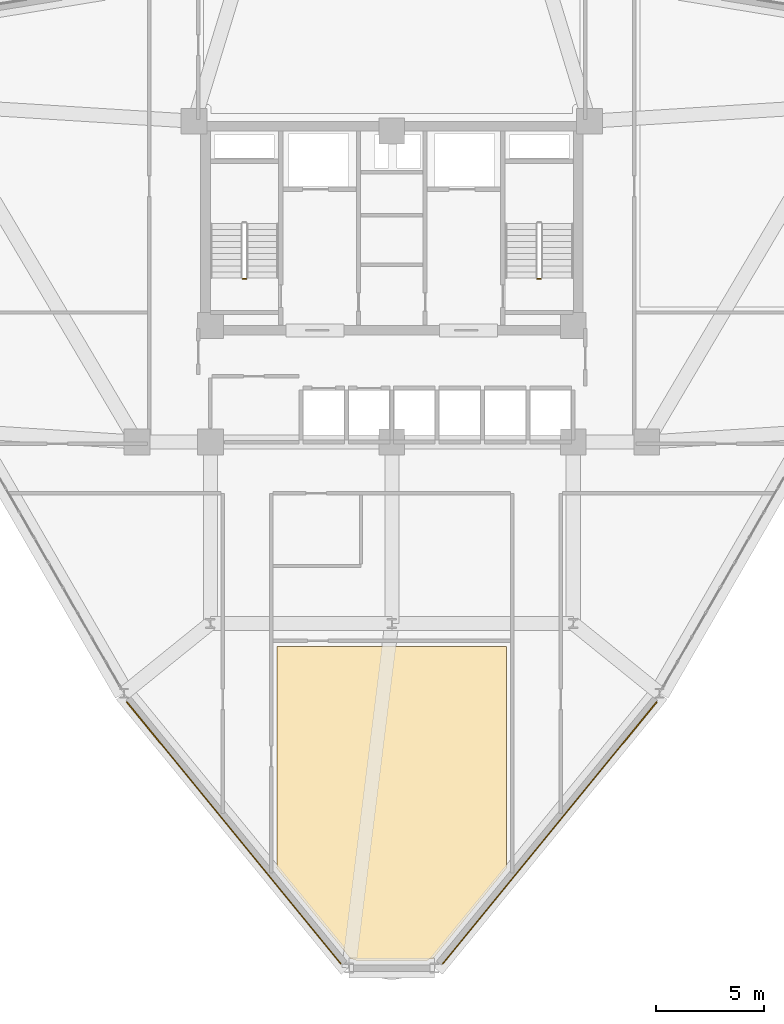
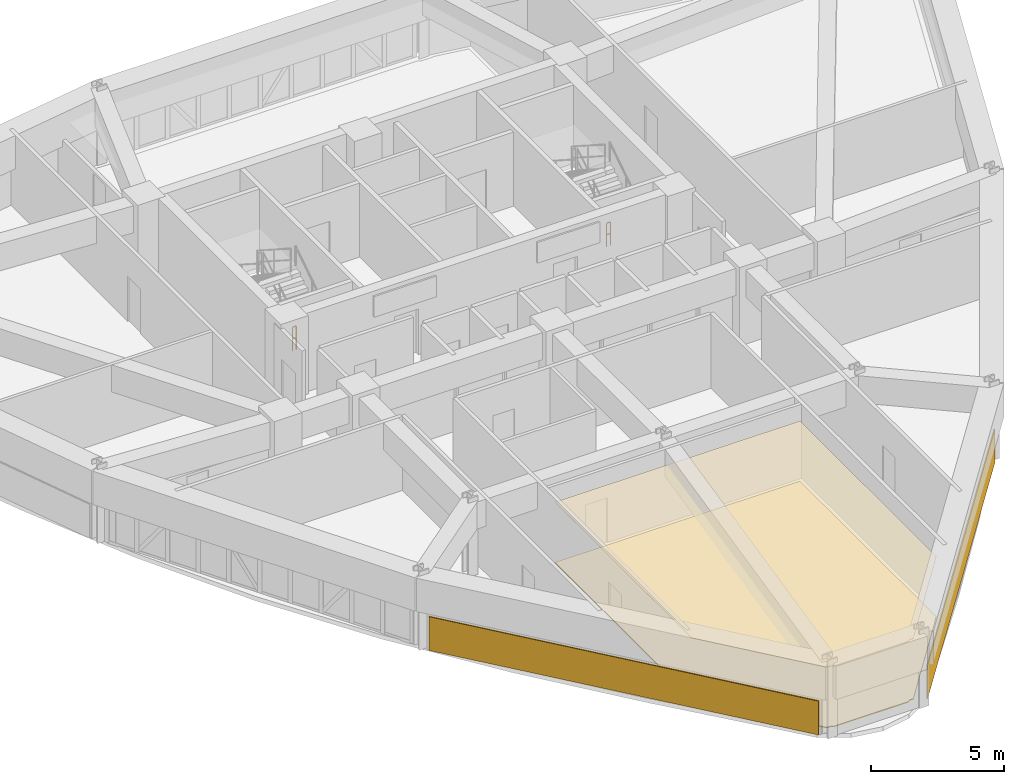
# One storey, part 13 of 15: 4 coverings, 2 railings.
"""IFC4 building model written with IfcOpenShell, lengths in metres."""

from ifc_helpers import new_model, si_unit, derived_unit, direction, frame, origin, origin_2d, place, context, subcontext, project, spatial, polyline, circle, outline, extrude, material, layer, layer_set, type_object, element, save


model = new_model("IFC4")

# Units and contexts
model_context = context("Model", 3, precision=1e-05, world=origin(), true_north=direction((0.0, 1.0)))
body_context = subcontext(model_context, "Body", "Model", "MODEL_VIEW")
ifc_project = project(units=[si_unit("LENGTHUNIT", "METRE"), si_unit("AREAUNIT", "SQUARE_METRE"), si_unit("VOLUMEUNIT", "CUBIC_METRE"), si_unit("PLANEANGLEUNIT", "RADIAN"), si_unit("MASSUNIT", "GRAM", prefix="KILO"), derived_unit("THERMALTRANSMITTANCEUNIT", [(si_unit("POWERUNIT", "WATT"), 1), (si_unit("LENGTHUNIT", "METRE"), -2), (si_unit("THERMODYNAMICTEMPERATUREUNIT", "KELVIN"), -1)])], contexts=[model_context])

# Site, building, storey
site_placement = place(None, origin())
site = spatial("IfcSite", under=ifc_project, at=site_placement, CompositionType="ELEMENT")
building_placement = place(site_placement, origin())
building = spatial("IfcBuilding", under=site, at=building_placement, Name="Korsvarv Bourse and Concert Hall", CompositionType="ELEMENT")
storey_placement = place(building_placement, frame((0.0, 0.0, 113.39990234375)))
storey = spatial("IfcBuildingStorey", under=building, at=storey_placement, Name="L28", CompositionType="ELEMENT", Elevation=113.39990234375)

# Coverings
ifc_material_1 = material(Name="Perforated mineral-wool and birch acoustic baffle ceiling", Category="wood")
ifc_layer_1 = layer(ifc_material_1, 0.02490234375)
ifc_layer_set_1 = layer_set([ifc_layer_1], Name="Perforated mineral-wool and birch acoustic baffle ceiling")
covering_type_1 = type_object("IfcCoveringType", Name="COV-CEIL-1", PredefinedType="CEILING", material=ifc_layer_set_1)
covering_1_placement = place(storey_placement, frame((0.0, 0.0, 2.780029296875)))
element("IfcCovering", 1, at=covering_1_placement, inside=storey, type_object=covering_type_1, Name="L28 acoustic baffle ceiling 2", PredefinedType="CEILING", context=body_context, shape_type="SweptSolid", body=[
    extrude(outline(polyline([(30.665771484375, 12.689453125), (30.67578125, 12.735107421875), (30.67919921875, 12.7705078125), (30.679931640625, 22.949951171875), (41.320068359375, 22.949951171875), (41.320068359375, 12.785400390625), (41.32373046875, 12.73828125), (41.33056640625, 12.7041015625), (37.889404296875, 8.472412109375), (37.7783203125, 8.472412109375), (37.743896484375, 8.468994140625), (37.7109375, 8.459228515625), (37.68017578125, 8.443359375), (37.6533203125, 8.421630859375), (37.630859375, 8.3955078125), (34.3720703125, 8.39501953125), (34.349609375, 8.41845703125), (34.32177734375, 8.438232421875), (34.29052734375, 8.452392578125), (34.25732421875, 8.46044921875), (34.11376953125, 8.46826171875), (30.665771484375, 12.689453125)])), origin(), (0.0, 0.0, 1.0), 0.025146484375),
])
ifc_material_2 = material(Name="Warm iron-oxide extruded terracotta rainscreen tile", Category="ceramic")
ifc_layer_2 = layer(ifc_material_2, 0.044921875)
ifc_layer_set_2 = layer_set([ifc_layer_2], Name="Warm iron-oxide extruded terracotta rainscreen tile")
covering_type_2 = type_object("IfcCoveringType", Name="COV-CLD-TC", PredefinedType="CLADDING", material=ifc_layer_set_2)
covering_2_placement = place(storey_placement, origin())
element("IfcCovering", 2, at=covering_2_placement, inside=storey, type_object=covering_type_2, Name="L28 fluted terracotta cladding panel EW-L28-B08", PredefinedType="CLADDING", context=body_context, shape_type="SweptSolid", body=[
    extrude(outline(polyline([(23.74365234375, 20.39599609375), (33.667236328125, 8.263916015625), (33.63232421875, 8.2353515625), (23.708740234375, 20.367431640625), (23.74365234375, 20.39599609375)])), origin(), (0.0, 0.0, 1.0), 1.550048828125),
])
covering_3_placement = place(storey_placement, origin())
element("IfcCovering", 3, at=covering_3_placement, inside=storey, type_object=covering_type_2, Name="L28 fluted terracotta cladding panel EW-L28-B10", PredefinedType="CLADDING", context=body_context, shape_type="SweptSolid", body=[
    extrude(outline(polyline([(38.332763671875, 8.263916015625), (48.25634765625, 20.39599609375), (48.291259765625, 20.367431640625), (38.36767578125, 8.2353515625), (38.332763671875, 8.263916015625)])), origin(), (0.0, 0.0, 1.0), 1.550048828125),
])
ifc_material_3 = material(Name="Calcium-sulphate raised access trading floor with Nordic oak top", Category="wood")
ifc_layer_3 = layer(ifc_material_3, 0.0400390625)
ifc_layer_set_3 = layer_set([ifc_layer_3], Name="Calcium-sulphate raised access trading floor with Nordic oak top")
covering_type_3 = type_object("IfcCoveringType", Name="COV-FLOR-1", PredefinedType="FLOORING", material=ifc_layer_set_3)
covering_4_placement = place(storey_placement, origin())
element("IfcCovering", 4, at=covering_4_placement, inside=storey, type_object=covering_type_3, Name="L28 raised access oak floor finish 2", PredefinedType="FLOORING", context=body_context, shape_type="SweptSolid", body=[
    extrude(outline(polyline([(30.665771484375, 12.689453125), (30.67578125, 12.735107421875), (30.67919921875, 12.7705078125), (30.679931640625, 22.949951171875), (41.320068359375, 22.949951171875), (41.320068359375, 12.785400390625), (41.32373046875, 12.73828125), (41.33056640625, 12.7041015625), (37.889404296875, 8.472412109375), (37.7783203125, 8.472412109375), (37.743896484375, 8.468994140625), (37.7109375, 8.459228515625), (37.68017578125, 8.443359375), (37.6533203125, 8.421630859375), (37.630859375, 8.3955078125), (34.3720703125, 8.39501953125), (34.349609375, 8.41845703125), (34.32177734375, 8.438232421875), (34.29052734375, 8.452392578125), (34.25732421875, 8.46044921875), (34.11376953125, 8.46826171875), (30.665771484375, 12.689453125)])), origin(), (0.0, 0.0, 1.0), 0.0400390625),
])

# Railings
ifc_material_4 = material(Name="Painted Steel S355 stair well guardrail", Category="steel")
railing_type = type_object("IfcRailingType", Name="RL-ST-GRD", PredefinedType="GUARDRAIL", material=ifc_material_4)
for number, where, name in (
    (5, (29.260009765625, 39.949951171875, 0.0), "L28 ST-T1 stair guard 4"),
    (6, (42.89990234375, 39.949951171875, 0.0), "L28 ST-T2 stair guard 4"),
):
    element("IfcRailing", number, at=place(storey_placement, frame(where)), inside=storey, type_object=railing_type, Name=name, PredefinedType="GUARDRAIL", context=body_context, shape_type="SweptSolid", body=[
        extrude(circle(Radius=0.02392578125, at=origin_2d()), frame((0.0, 0.0, 1.076171875), z_axis=(-1.0, 0.0, 0.0), x_axis=(0.0, -1.0, 0.0)), (0.0, 0.0, 1.0), 0.159912109375),
        extrude(circle(Radius=0.02392578125, at=origin_2d()), frame((0.0, 0.0, 0.550048828125), z_axis=(-1.0, 0.0, 0.0), x_axis=(0.0, -1.0, 0.0)), (0.0, 0.0, 1.0), 0.159912109375),
        extrude(circle(Radius=0.02099609375, at=origin_2d()), origin(), (0.0, 0.0, 1.0), 1.052001953125),
        extrude(circle(Radius=0.02099609375, at=origin_2d()), frame((-0.159912109375, 0.0, 0.0)), (0.0, 0.0, 1.0), 1.052001953125),
    ])

save(model, "model.ifc")
